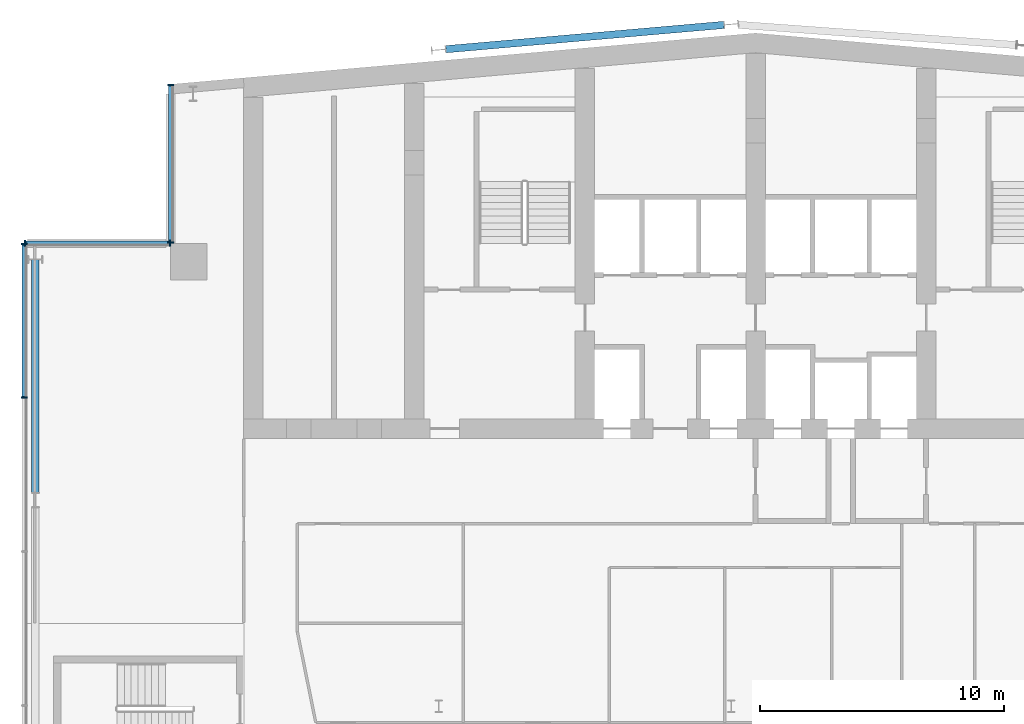
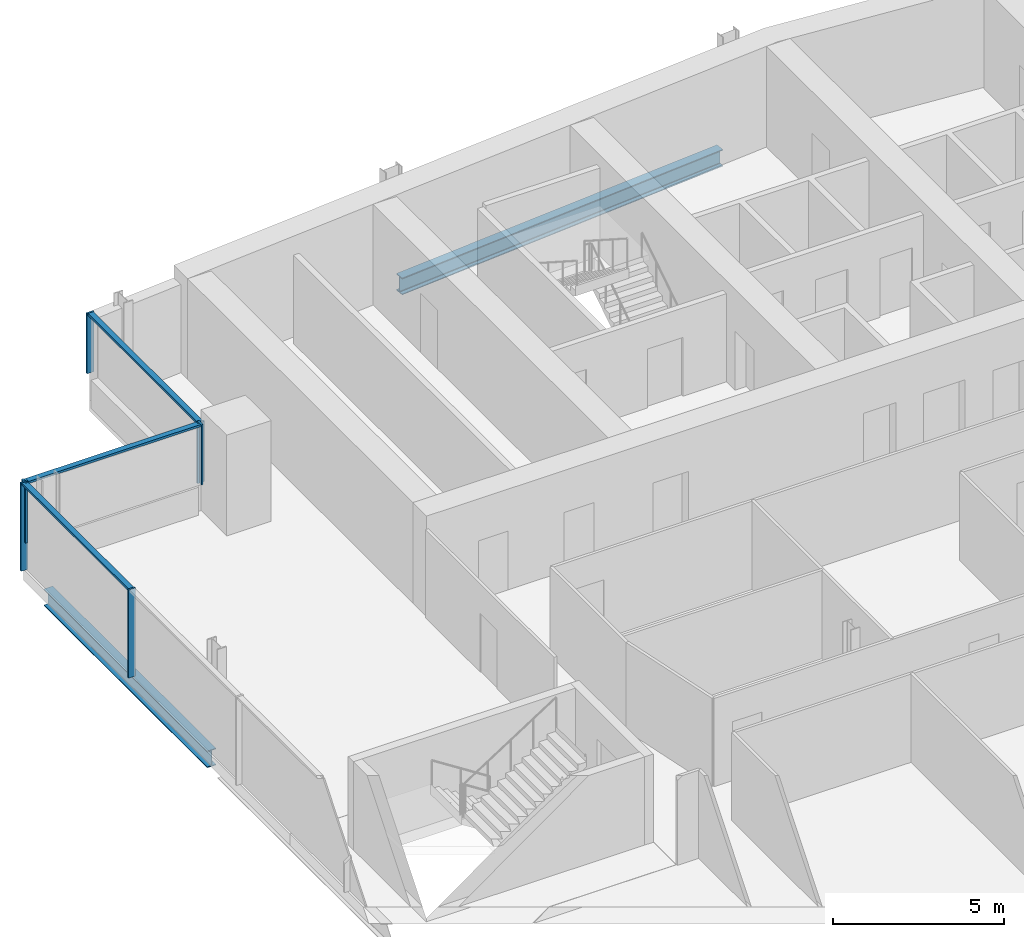
# One storey, part 9 of 24: 9 members, 2 beams, 3 elements without a shape of their own.
"""IFC4 building model written with IfcOpenShell, lengths in metres."""

from ifc_helpers import new_model, si_unit, direction, frame, origin, origin_2d, place, context, subcontext, project, spatial, rectangle, i_section, extrude, material, material_profile, profile_set, type_object, element, aggregate, save


model = new_model("IFC4")

# Units and contexts
model_context = context("Model", 3, precision=1e-05, world=origin(), true_north=direction((0.0, 1.0)))
body_context = subcontext(model_context, "Body", "Model", "MODEL_VIEW")
ifc_project = project(units=[si_unit("LENGTHUNIT", "METRE"), si_unit("AREAUNIT", "SQUARE_METRE"), si_unit("VOLUMEUNIT", "CUBIC_METRE"), si_unit("PLANEANGLEUNIT", "RADIAN"), si_unit("MASSUNIT", "GRAM", prefix="KILO")], contexts=[model_context])

# Site, building, storey
site_placement = place(None, origin())
site = spatial("IfcSite", under=ifc_project, at=site_placement, CompositionType="ELEMENT")
building_placement = place(site_placement, origin())
building = spatial("IfcBuilding", under=site, at=building_placement, Name="Wharfspan Tower", CompositionType="ELEMENT")
storey_placement = place(building_placement, frame((0.0, 0.0, 198.699951)))
storey = spatial("IfcBuildingStorey", under=building, at=storey_placement, Name="L49", CompositionType="ELEMENT", Elevation=198.699951)

# Beams
ifc_material_1 = material(Name="Steel S355J2", Category="steel")
ifc_material_profile_1 = material_profile(ifc_material_1, i_section(OverallWidth=0.300049, OverallDepth=0.600098, WebThickness=0.015381, FlangeThickness=0.030029, FilletRadius=0.0271, at=origin_2d()))
ifc_profile_set_1 = profile_set([ifc_material_profile_1], Name="Steel S355J2")
beam_type = type_object("IfcBeamType", Name="Edge beam HEB 600", PredefinedType="SPANDREL", material=ifc_profile_set_1)
beam_1_placement = place(storey_placement, frame((35.705078, 50.961426, -0.699951), z_axis=(-0.996194, -0.087158, 0.0), x_axis=(0.087158, -0.996194, 0.0)))
element("IfcBeam", 1, at=beam_1_placement, inside=storey, type_object=beam_type, Name="Edge beam N1 L49 R.2 to R.1", PredefinedType="SPANDREL", context=body_context, shape_type="SweptSolid", body=[
    extrude(i_section(OverallWidth=0.300049, OverallDepth=0.600098, WebThickness=0.015381, FlangeThickness=0.030029, FilletRadius=0.0271, at=origin_2d()), origin(), (0.0, 0.0, 1.0), 11.453857),
])
beam_2_placement = place(storey_placement, frame((7.450439, 41.32666, -0.699951), z_axis=(-5.1e-05, -1.0, 0.0), x_axis=(1.0, -5.1e-05, 0.0)))
element("IfcBeam", 2, at=beam_2_placement, inside=storey, type_object=beam_type, Name="Edge beam W L49 PNRW-H.1 to PW.1", PredefinedType="SPANDREL", context=body_context, shape_type="SweptSolid", body=[
    extrude(i_section(OverallWidth=0.300049, OverallDepth=0.600098, WebThickness=0.015381, FlangeThickness=0.030029, FilletRadius=0.0271, at=origin_2d()), origin(), (0.0, 0.0, 1.0), 9.553955),
])

# Curtain wall, members
ifc_material_2 = material(Name="Aluminium 6063-T6", Category="aluminium")
curtain_wall_type = type_object("IfcCurtainWallType", Name="CURTAIN WALL PROW AND END", PredefinedType="NOTDEFINED", material=ifc_material_2)
curtain_wall_1_placement = place(storey_placement, origin())
curtain_wall_1 = element("IfcCurtainWall", 3, at=curtain_wall_1_placement, inside=storey, type_object=curtain_wall_type, Name="Curtain wall NRW-V", PredefinedType="NOTDEFINED")
ifc_material_profile_2 = material_profile(ifc_material_2, rectangle(XDim=0.23999, YDim=0.060059, at=origin_2d()))
ifc_profile_set_2 = profile_set([ifc_material_profile_2], Name="Aluminium 6063-T6")
member_type_1 = type_object("IfcMemberType", Name="MULLION PROW AND END 60x240", PredefinedType="MULLION", material=ifc_profile_set_2)
member_1_placement = place(storey_placement, frame((13.0, 48.494873, 1.0), z_axis=(0.0, 0.0, 1.0), x_axis=(1.0, 0.0, 0.0)))
member_1 = element("IfcMember", 4, at=member_1_placement, type_object=member_type_1, Name="Curtain wall NRW-V mullion 1", PredefinedType="MULLION", context=body_context, shape_type="SweptSolid", body=[
    extrude(rectangle(XDim=0.23999, YDim=0.060059, at=origin_2d()), origin(), (0.0, 0.0, 1.0), 2.150146),
])
member_2_placement = place(storey_placement, frame((13.0, 42.030029, 1.0), z_axis=(0.0, 0.0, 1.0), x_axis=(1.0, 0.0, 0.0)))
member_2 = element("IfcMember", 5, at=member_2_placement, type_object=member_type_1, Name="Curtain wall NRW-V mullion 2", PredefinedType="MULLION", context=body_context, shape_type="SweptSolid", body=[
    extrude(rectangle(XDim=0.23999, YDim=0.060059, at=origin_2d()), origin(), (0.0, 0.0, 1.0), 2.150146),
])

curtain_wall_2_placement = place(storey_placement, origin())
curtain_wall_2 = element("IfcCurtainWall", 6, at=curtain_wall_2_placement, inside=storey, type_object=curtain_wall_type, Name="Curtain wall NRW-H", PredefinedType="NOTDEFINED")
member_3_placement = place(storey_placement, frame((12.969971, 42.0, 1.0), z_axis=(0.0, 0.0, 1.0), x_axis=(0.0, -1.0, 0.0)))
member_3 = element("IfcMember", 7, at=member_3_placement, type_object=member_type_1, Name="Curtain wall NRW-H mullion 1", PredefinedType="MULLION", context=body_context, shape_type="SweptSolid", body=[
    extrude(rectangle(XDim=0.23999, YDim=0.060059, at=origin_2d()), origin(), (0.0, 0.0, 1.0), 2.150146),
])
member_4_placement = place(storey_placement, frame((7.030029, 42.0, 1.0), z_axis=(0.0, 0.0, 1.0), x_axis=(0.0, -1.0, 0.0)))
member_4 = element("IfcMember", 8, at=member_4_placement, type_object=member_type_1, Name="Curtain wall NRW-H mullion 2", PredefinedType="MULLION", context=body_context, shape_type="SweptSolid", body=[
    extrude(rectangle(XDim=0.23999, YDim=0.060059, at=origin_2d()), origin(), (0.0, 0.0, 1.0), 2.150146),
])

curtain_wall_3_placement = place(storey_placement, origin())
curtain_wall_3 = element("IfcCurtainWall", 9, at=curtain_wall_3_placement, inside=storey, type_object=curtain_wall_type, Name="Curtain wall W", PredefinedType="NOTDEFINED")
member_5_placement = place(storey_placement, frame((7.0, 41.969971, 0.0), z_axis=(0.0, 0.0, 1.0), x_axis=(1.0, 0.0, 0.0)))
member_5 = element("IfcMember", 10, at=member_5_placement, type_object=member_type_1, Name="Curtain wall W mullion 1", PredefinedType="MULLION", context=body_context, shape_type="SweptSolid", body=[
    extrude(rectangle(XDim=0.23999, YDim=0.060059, at=origin_2d()), origin(), (0.0, 0.0, 1.0), 3.150146),
])
member_6_placement = place(storey_placement, frame((7.0, 35.679932, 0.0), z_axis=(0.0, 0.0, 1.0), x_axis=(1.0, 0.0, 0.0)))
member_6 = element("IfcMember", 11, at=member_6_placement, type_object=member_type_1, Name="Curtain wall W mullion 2", PredefinedType="MULLION", context=body_context, shape_type="SweptSolid", body=[
    extrude(rectangle(XDim=0.23999, YDim=0.060059, at=origin_2d()), origin(), (0.0, 0.0, 1.0), 3.150146),
])

# Member
ifc_material_profile_3 = material_profile(ifc_material_2, rectangle(XDim=0.179932, YDim=0.080078, at=origin_2d()))
ifc_profile_set_3 = profile_set([ifc_material_profile_3], Name="Aluminium 6063-T6")
member_type_2 = type_object("IfcMemberType", Name="TRANSOM PROW AND END 80x180", PredefinedType="USERDEFINED", material=ifc_profile_set_3)
member_7_placement = place(storey_placement, frame((13.0, 48.464844, 3.110107), z_axis=(0.0, -1.0, 0.0), x_axis=(1.0, 0.0, 0.0)))
member_7 = element("IfcMember", 12, at=member_7_placement, type_object=member_type_2, Name="Curtain wall NRW-V transom 1", ObjectType="TRANSOM", PredefinedType="USERDEFINED", context=body_context, shape_type="SweptSolid", body=[
    extrude(rectangle(XDim=0.179932, YDim=0.080078, at=origin_2d()), origin(), (0.0, 0.0, 1.0), 6.404785),
])

aggregate(curtain_wall_1, [member_1, member_2, member_7])

member_8_placement = place(storey_placement, frame((12.939941, 42.0, 3.110107), z_axis=(-1.0, 0.0, 0.0), x_axis=(0.0, -1.0, 0.0)))
member_8 = element("IfcMember", 13, at=member_8_placement, type_object=member_type_2, Name="Curtain wall NRW-H transom 1", ObjectType="TRANSOM", PredefinedType="USERDEFINED", context=body_context, shape_type="SweptSolid", body=[
    extrude(rectangle(XDim=0.179932, YDim=0.080078, at=origin_2d()), origin(), (0.0, 0.0, 1.0), 5.879883),
])

aggregate(curtain_wall_2, [member_3, member_4, member_8])

member_9_placement = place(storey_placement, frame((7.0, 41.939941, 3.110107), z_axis=(0.0, -1.0, 0.0), x_axis=(1.0, 0.0, 0.0)))
member_9 = element("IfcMember", 14, at=member_9_placement, type_object=member_type_2, Name="Curtain wall W transom 1", ObjectType="TRANSOM", PredefinedType="USERDEFINED", context=body_context, shape_type="SweptSolid", body=[
    extrude(rectangle(XDim=0.179932, YDim=0.080078, at=origin_2d()), origin(), (0.0, 0.0, 1.0), 6.22998),
])

aggregate(curtain_wall_3, [member_5, member_6, member_9])

save(model, "model.ifc")
